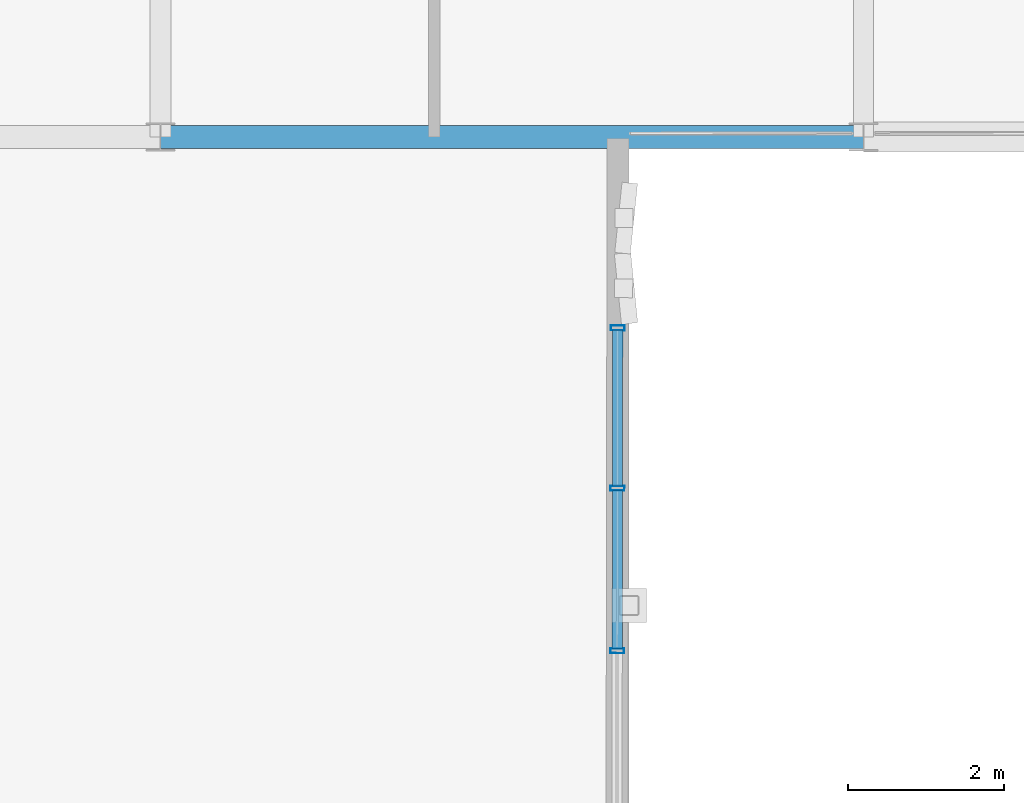
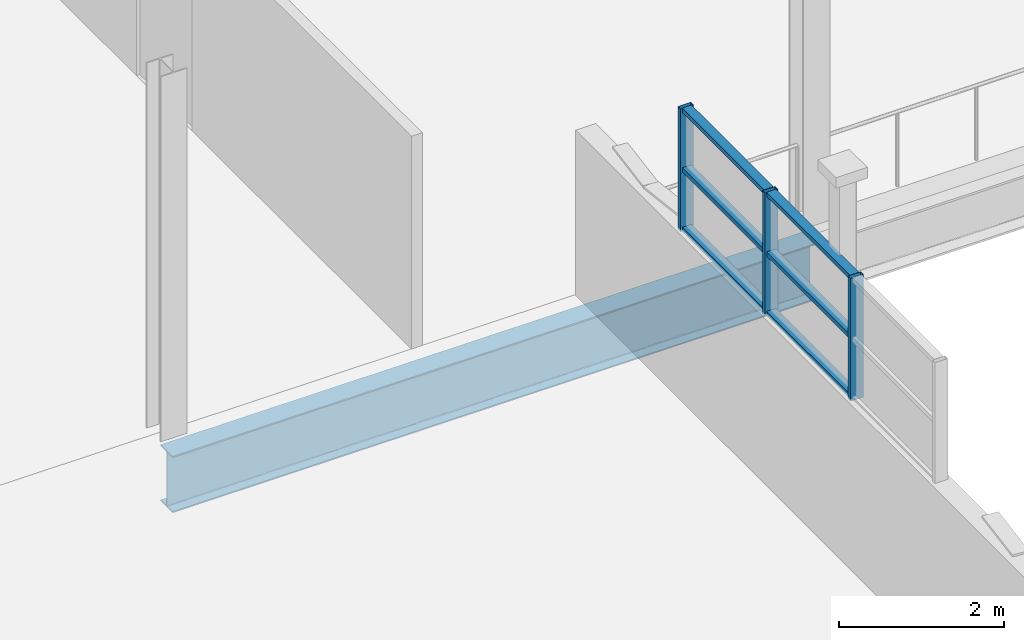
# One storey, part 48 of 142: 9 members, 1 beam, 1 element without a shape of its own.
"""IFC4 building model written with IfcOpenShell, lengths in metres."""

from ifc_helpers import new_model, si_unit, direction, frame, origin, origin_2d, place, context, subcontext, project, spatial, hollow_rectangle, i_section, extrude, material, layer, layer_set, material_profile, profile_set, type_object, element, aggregate, save


model = new_model("IFC4")

# Units and contexts
model_context = context("Model", 3, precision=1e-05, world=origin(), true_north=direction((0.0, 1.0)))
body_context = subcontext(model_context, "Body", "Model", "MODEL_VIEW")
ifc_project = project(units=[si_unit("LENGTHUNIT", "METRE"), si_unit("AREAUNIT", "SQUARE_METRE"), si_unit("VOLUMEUNIT", "CUBIC_METRE"), si_unit("PLANEANGLEUNIT", "RADIAN"), si_unit("MASSUNIT", "GRAM", prefix="KILO"), si_unit("THERMODYNAMICTEMPERATUREUNIT", "KELVIN"), si_unit("POWERUNIT", "WATT")], contexts=[model_context])

# Site, building, storey
site_placement = place(None, origin())
site = spatial("IfcSite", under=ifc_project, at=site_placement, CompositionType="ELEMENT")
building_placement = place(site_placement, origin())
building = spatial("IfcBuilding", under=site, at=building_placement, Name="Zelmaris Science Centre", CompositionType="ELEMENT")
storey_placement = place(building_placement, frame((0.0, 0.0, 5.39990234375)))
storey = spatial("IfcBuildingStorey", under=building, at=storey_placement, Name="L01", CompositionType="ELEMENT", Elevation=5.39990234375)

# Curtain wall, members
ifc_material_1 = material(Name="Anodised architectural aluminium 6063-T6", Category="aluminium")
ifc_layer = layer(ifc_material_1, 0.2099609375, Name="Anodised architectural aluminium 6063-T6")
ifc_layer_set = layer_set([ifc_layer], Name="Anodised architectural aluminium 6063-T6")
curtain_wall_type = type_object("IfcCurtainWallType", Name="Curtain Wall CW-03", PredefinedType="USERDEFINED", material=ifc_layer_set)
curtain_wall_placement = place(storey_placement, origin())
curtain_wall = element("IfcCurtainWall", 1, at=curtain_wall_placement, inside=storey, type_object=curtain_wall_type, Name="L01 Clerestory curtain wall 191", ObjectType="GLAZED CURTAIN WALL", PredefinedType="USERDEFINED")
ifc_material_profile_1 = material_profile(ifc_material_1, hollow_rectangle(XDim=0.06494140625, YDim=0.179931640625, WallThickness=0.00390625, at=origin_2d()), Name="ALU-MUL-65X180")
ifc_profile_set_1 = profile_set([ifc_material_profile_1], Name="Anodised architectural aluminium 6063-T6")
member_type_1 = type_object("IfcMemberType", Name="ALU-MUL-65X180", PredefinedType="MULLION", material=ifc_profile_set_1)
member_1_placement = place(storey_placement, frame((86.853759765625, 61.55419921875, 2.420166015625), z_axis=(0.0, 0.0, 1.0), x_axis=(-0.0015655597, -0.999998774511, 0.0)))
member_1 = element("IfcMember", 2, at=member_1_placement, type_object=member_type_1, Name="CW-03 mullion 1", PredefinedType="MULLION", context=body_context, shape_type="SweptSolid", body=[
    extrude(hollow_rectangle(XDim=0.06494140625, YDim=0.179931640625, WallThickness=0.00390625, at=origin_2d()), origin(), (0.0, 0.0, 1.0), 1.81787109375),
])
member_2_placement = place(storey_placement, frame((86.8505859375, 59.501708984375, 2.420166015625), z_axis=(0.0, 0.0, 1.0), x_axis=(-0.0015655597, -0.999998774511, 0.0)))
member_2 = element("IfcMember", 3, at=member_2_placement, type_object=member_type_1, Name="CW-03 mullion 2", PredefinedType="MULLION", context=body_context, shape_type="SweptSolid", body=[
    extrude(hollow_rectangle(XDim=0.06494140625, YDim=0.179931640625, WallThickness=0.00390625, at=origin_2d()), origin(), (0.0, 0.0, 1.0), 1.81787109375),
])
member_3_placement = place(storey_placement, frame((86.847412109375, 57.420654296875, 2.420166015625), z_axis=(0.0, 0.0, 1.0), x_axis=(-0.0015655597, -0.999998774511, 0.0)))
member_3 = element("IfcMember", 4, at=member_3_placement, type_object=member_type_1, Name="CW-03 mullion 3", PredefinedType="MULLION", context=body_context, shape_type="SweptSolid", body=[
    extrude(hollow_rectangle(XDim=0.06494140625, YDim=0.179931640625, WallThickness=0.00390625, at=origin_2d()), origin(), (0.0, 0.0, 1.0), 1.81787109375),
])
ifc_material_profile_2 = material_profile(ifc_material_1, hollow_rectangle(XDim=0.06494140625, YDim=0.1298828125, WallThickness=0.00341796875, at=origin_2d()), Name="ALU-TRN-65X130")
ifc_profile_set_2 = profile_set([ifc_material_profile_2], Name="Anodised architectural aluminium 6063-T6")
member_type_2 = type_object("IfcMemberType", Name="ALU-TRN-65X130", PredefinedType="USERDEFINED", material=ifc_profile_set_2)
member_4_placement = place(storey_placement, frame((86.853759765625, 61.525634765625, 2.448486328125), z_axis=(-0.001590601194, -0.999998734993, 0.0), x_axis=(0.0, 0.0, 1.0)))
member_4 = element("IfcMember", 5, at=member_4_placement, type_object=member_type_2, Name="CW-03 transom 1.1", ObjectType="TRANSOM", PredefinedType="USERDEFINED", context=body_context, shape_type="SweptSolid", body=[
    extrude(hollow_rectangle(XDim=0.06494140625, YDim=0.1298828125, WallThickness=0.00341796875, at=origin_2d()), origin(), (0.0, 0.0, 1.0), 1.995361328125),
])
member_5_placement = place(storey_placement, frame((86.853759765625, 61.525634765625, 3.3291015625), z_axis=(-0.001590601194, -0.999998734993, 0.0), x_axis=(0.0, 0.0, 1.0)))
member_5 = element("IfcMember", 6, at=member_5_placement, type_object=member_type_2, Name="CW-03 transom 1.2", ObjectType="TRANSOM", PredefinedType="USERDEFINED", context=body_context, shape_type="SweptSolid", body=[
    extrude(hollow_rectangle(XDim=0.06494140625, YDim=0.1298828125, WallThickness=0.00341796875, at=origin_2d()), origin(), (0.0, 0.0, 1.0), 1.995361328125),
])
member_6_placement = place(storey_placement, frame((86.853759765625, 61.525634765625, 4.209716796875), z_axis=(-0.001590601194, -0.999998734993, 0.0), x_axis=(0.0, 0.0, 1.0)))
member_6 = element("IfcMember", 7, at=member_6_placement, type_object=member_type_2, Name="CW-03 transom 1.3", ObjectType="TRANSOM", PredefinedType="USERDEFINED", context=body_context, shape_type="SweptSolid", body=[
    extrude(hollow_rectangle(XDim=0.06494140625, YDim=0.1298828125, WallThickness=0.00341796875, at=origin_2d()), origin(), (0.0, 0.0, 1.0), 1.995361328125),
])
member_7_placement = place(storey_placement, frame((86.8505859375, 59.47314453125, 2.448486328125), z_axis=(-0.001568152475, -0.999998770448, 0.0), x_axis=(0.0, 0.0, 1.0)))
member_7 = element("IfcMember", 8, at=member_7_placement, type_object=member_type_2, Name="CW-03 transom 2.1", ObjectType="TRANSOM", PredefinedType="USERDEFINED", context=body_context, shape_type="SweptSolid", body=[
    extrude(hollow_rectangle(XDim=0.06494140625, YDim=0.1298828125, WallThickness=0.00341796875, at=origin_2d()), origin(), (0.0, 0.0, 1.0), 2.02392578125),
])
member_8_placement = place(storey_placement, frame((86.8505859375, 59.47314453125, 3.3291015625), z_axis=(-0.001568152475, -0.999998770448, 0.0), x_axis=(0.0, 0.0, 1.0)))
member_8 = element("IfcMember", 9, at=member_8_placement, type_object=member_type_2, Name="CW-03 transom 2.2", ObjectType="TRANSOM", PredefinedType="USERDEFINED", context=body_context, shape_type="SweptSolid", body=[
    extrude(hollow_rectangle(XDim=0.06494140625, YDim=0.1298828125, WallThickness=0.00341796875, at=origin_2d()), origin(), (0.0, 0.0, 1.0), 2.02392578125),
])
member_9_placement = place(storey_placement, frame((86.8505859375, 59.47314453125, 4.209716796875), z_axis=(-0.001568152475, -0.999998770448, 0.0), x_axis=(0.0, 0.0, 1.0)))
member_9 = element("IfcMember", 10, at=member_9_placement, type_object=member_type_2, Name="CW-03 transom 2.3", ObjectType="TRANSOM", PredefinedType="USERDEFINED", context=body_context, shape_type="SweptSolid", body=[
    extrude(hollow_rectangle(XDim=0.06494140625, YDim=0.1298828125, WallThickness=0.00341796875, at=origin_2d()), origin(), (0.0, 0.0, 1.0), 2.02392578125),
])
aggregate(curtain_wall, [member_1, member_2, member_3, member_4, member_5, member_6, member_7, member_8, member_9])

# Beam
ifc_material_2 = material(Name="Steel ASTM A992 Grade 50", Category="steel")
ifc_material_profile_3 = material_profile(ifc_material_2, i_section(OverallWidth=0.2919921875, OverallDepth=0.8359375, WebThickness=0.013916015625, FlangeThickness=0.018798828125, FilletRadius=0.02001953125, at=origin_2d()), Name="W33X118")
ifc_profile_set_3 = profile_set([ifc_material_profile_3], Name="Steel ASTM A992 Grade 50")
beam_type = type_object("IfcBeamType", Name="Beam G-30 W33X118", PredefinedType="BEAM", material=ifc_profile_set_3)
beam_placement = place(storey_placement, frame((81.0, 64.0, -0.718017578125), z_axis=(1.0, 0.0, 0.0), x_axis=(0.0, 1.0, 0.0)))
element("IfcBeam", 11, at=beam_placement, inside=storey, type_object=beam_type, Name="L01 East-west girder 391", PredefinedType="BEAM", context=body_context, shape_type="SweptSolid", body=[
    extrude(i_section(OverallWidth=0.2919921875, OverallDepth=0.8359375, WebThickness=0.013916015625, FlangeThickness=0.018798828125, FilletRadius=0.02001953125, at=origin_2d()), origin(), (0.0, 0.0, 1.0), 9.0),
])

save(model, "model.ifc")
